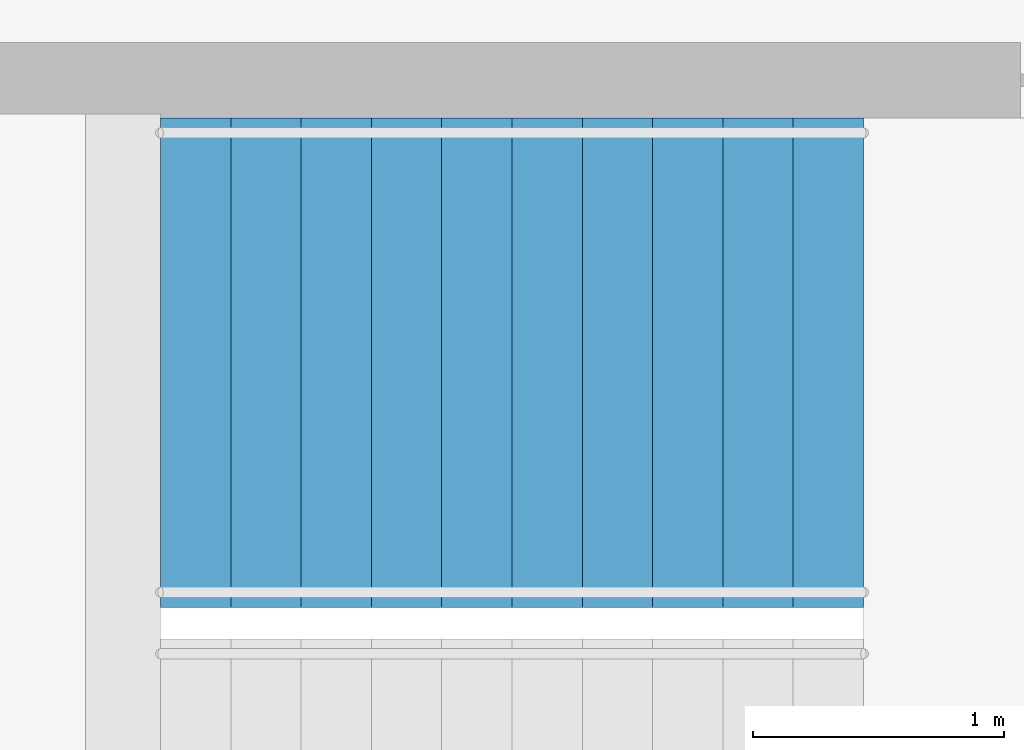
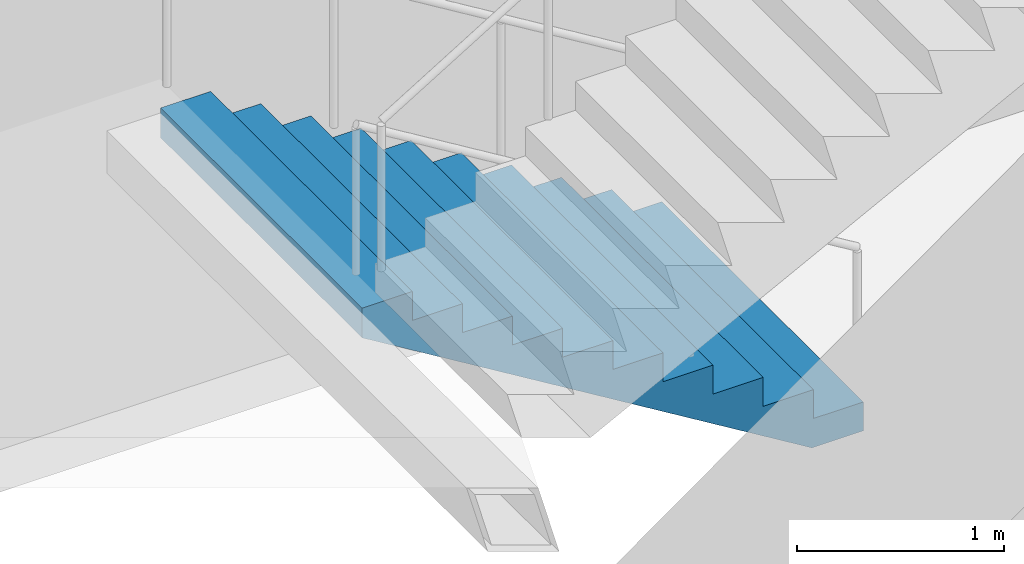
# One storey, part 21 of 22: 1 stair flight, 1 element without a shape of its own.
"""IFC4 building model written with IfcOpenShell, lengths in metres."""

import ifcopenshell
import ifcopenshell.guid

model = None  # the IFC model being written
_history = None  # IfcOwnerHistory: only IFC2X3 demands one
_inside = {}  # id of a spatial element -> (the spatial element, [elements in it])
_under = {}  # id of a project, library or spatial element -> (it, [spatial elements below it])
_declared = {}  # id of a project -> (the project, [libraries it declares])
_typed = {}  # id of a type object -> (the type object, [elements of that type])
_made_of = {}  # id of a material, layer set ... -> (it, [elements and type objects made of it])


def new_model(schema):
    """Start an empty IFC model of exactly this schema.

    Asked for "IFC4X3", IfcOpenShell would pick the latest addendum, in which some entities
    have other attributes; the version numbers below select the first issue.
    IFC2X3 requires an IfcOwnerHistory on every rooted entity: one is made here for all.
    """
    global model, _history
    if schema == "IFC4X3":
        model = ifcopenshell.file(schema_version=(4, 3, 0, 0))
    else:
        model = ifcopenshell.file(schema=schema)
    _inside.clear()
    _under.clear()
    _declared.clear()
    _typed.clear()
    _made_of.clear()
    _history = None
    if model.schema == "IFC2X3":
        org = make("IfcOrganization", Name="unknown")
        user = make(
            "IfcPersonAndOrganization",
            ThePerson=make("IfcPerson", FamilyName="unknown"),
            TheOrganization=org,
        )
        app = make(
            "IfcApplication",
            ApplicationDeveloper=org,
            Version="unknown",
            ApplicationFullName="unknown",
            ApplicationIdentifier="unknown",
        )
        _history = make(
            "IfcOwnerHistory",
            OwningUser=user,
            OwningApplication=app,
            ChangeAction="ADDED",
            CreationDate=0,
        )
    return model


def make(cls, **values):
    """One entity of the class cls with the attributes given. An attribute that is None is left unset."""
    return model.create_entity(
        cls, **{name: value for name, value in values.items() if value is not None}
    )


def rooted(cls, **values):
    """An entity with a GlobalId (a new one), such as an element, a storey or a relation."""
    return make(cls, GlobalId=ifcopenshell.guid.new(), OwnerHistory=_history, **values)


def si_unit(unit_type, name, prefix=None):
    """IfcSIUnit, for example si_unit("LENGTHUNIT", "METRE", prefix="MILLI")."""
    return make("IfcSIUnit", UnitType=unit_type, Prefix=prefix, Name=name)


def assignment(units):
    """IfcUnitAssignment: the units of a project."""
    return None if units is None else make("IfcUnitAssignment", Units=units)


def point(xyz):
    """IfcCartesianPoint."""
    return None if xyz is None else make("IfcCartesianPoint", Coordinates=xyz)


def direction(xyz):
    """IfcDirection."""
    return None if xyz is None else make("IfcDirection", DirectionRatios=xyz)


def frame(location, z_axis=None, x_axis=None):
    """IfcAxis2Placement3D, a coordinate frame: its origin and axes. An axis left out is left unset."""
    return make(
        "IfcAxis2Placement3D",
        Location=point(location),
        Axis=direction(z_axis),
        RefDirection=direction(x_axis),
    )


def origin():
    """The frame at (0, 0, 0) with its axes left unset."""
    return frame((0.0, 0.0, 0.0))


def place(relative_to, where):
    """IfcLocalPlacement: puts the frame where relative to a parent placement (None: the world)."""
    return make(
        "IfcLocalPlacement", PlacementRelTo=relative_to, RelativePlacement=where
    )


def context(
    kind, dimensions, precision=None, world=None, true_north=None, identifier=None
):
    """IfcGeometricRepresentationContext, for example the 3D "Model" context."""
    return make(
        "IfcGeometricRepresentationContext",
        ContextIdentifier=identifier,
        ContextType=kind,
        CoordinateSpaceDimension=dimensions,
        Precision=precision,
        WorldCoordinateSystem=world,
        TrueNorth=true_north,
    )


def subcontext(parent, identifier, kind, view, scale=None):
    """IfcGeometricRepresentationSubContext, for example "Body" below "Model"."""
    return make(
        "IfcGeometricRepresentationSubContext",
        ContextIdentifier=identifier,
        ContextType=kind,
        ParentContext=parent,
        TargetScale=scale,
        TargetView=view,
    )


def project(units=None, contexts=None):
    """IfcProject with its units and contexts."""
    return rooted(
        "IfcProject",
        Name="project",
        RepresentationContexts=contexts,
        UnitsInContext=assignment(units),
    )


def spatial(cls, under=None, at=None, **own):
    """A site, building, storey or space (cls), placed at a placement, below another one or the project."""
    s = rooted(cls, ObjectPlacement=at, **own)
    if under is not None:
        _under.setdefault(under.id(), (under, []))[1].append(s)
    return s


def point_list(points):
    """IfcCartesianPointList2D or 3D."""
    cls = (
        "IfcCartesianPointList2D" if len(points[0]) == 2 else "IfcCartesianPointList3D"
    )
    return make(cls, CoordList=points)


def triangles(points, corners, closed=None, point_numbers=None):
    """IfcTriangulatedFaceSet: each triangle names its three corners, points numbered from 1."""
    return make(
        "IfcTriangulatedFaceSet",
        Coordinates=point_list(points),
        Closed=closed,
        CoordIndex=corners,
        PnIndex=point_numbers,
    )


def shape(context_of_items, identifier, shape_type, items):
    """IfcShapeRepresentation: the items that make up one representation, for example the "Body"."""
    return make(
        "IfcShapeRepresentation",
        ContextOfItems=context_of_items,
        RepresentationIdentifier=identifier,
        RepresentationType=shape_type,
        Items=items,
    )


def material(Name=None, Category=None):
    """IfcMaterial."""
    return make("IfcMaterial", Name=Name, Category=Category)


def made_of(thing, what):
    """Note that an element or type object is made of a material, layer set ...; save() writes the relation."""
    if what is not None:
        _made_of.setdefault(what.id(), (what, []))[1].append(thing)
    return thing


def type_object(cls, material=None, **own):
    """A type object (cls), such as IfcWallType, which elements share."""
    return made_of(rooted(cls, **own), material)


def element(
    cls,
    number,
    at=None,
    inside=None,
    cuts=None,
    type_object=None,
    material=None,
    context=None,
    identifier="Body",
    shape_type=None,
    held_by="IfcProductDefinitionShape",
    body=None,
    shapes=None,
    **own,
):
    """One element of the class cls, such as IfcWall. Its Tag is "e" and its number.

    at: its placement. inside: the storey or other place that contains it. cuts: it is an
    opening in that element (IfcRelVoidsElement). A single representation is given by context,
    identifier, shape_type and body (its items); several are given by shapes. held_by: the class
    of the entity that holds the representations. save() writes the other relations.
    """
    e = rooted(cls, Tag="e%d" % number, ObjectPlacement=at, **own)
    if body is not None:
        shapes = [shape(context, identifier, shape_type, body)]
    if shapes is not None:
        e.Representation = make(held_by, Representations=shapes)
    if inside is not None:
        _inside.setdefault(inside.id(), (inside, []))[1].append(e)
    if cuts is not None:
        rooted(
            "IfcRelVoidsElement", RelatingBuildingElement=cuts, RelatedOpeningElement=e
        )
    if type_object is not None:
        _typed.setdefault(type_object.id(), (type_object, []))[1].append(e)
    return made_of(e, material)


def aggregate(whole, parts):
    """IfcRelAggregates: a whole, such as a stair, and the parts it consists of."""
    return rooted("IfcRelAggregates", RelatingObject=whole, RelatedObjects=parts)


def save(model, path):
    """Write the relations noted so far, then the file.

    IfcRelAggregates (storeys below a building ...), IfcRelContainedInSpatialStructure (elements
    in a storey), IfcRelDefinesByType, IfcRelAssociatesMaterial and IfcRelDeclares: one each for
    every whole, place, type object, material and project.
    """
    for whole, parts in _under.values():
        aggregate(whole, parts)
    for where, things in _inside.values():
        rooted(
            "IfcRelContainedInSpatialStructure",
            RelatedElements=things,
            RelatingStructure=where,
        )
    for kind, things in _typed.values():
        rooted("IfcRelDefinesByType", RelatedObjects=things, RelatingType=kind)
    for what, things in _made_of.values():
        rooted("IfcRelAssociatesMaterial", RelatedObjects=things, RelatingMaterial=what)
    for by, libraries in _declared.values():
        rooted("IfcRelDeclares", RelatingContext=by, RelatedDefinitions=libraries)
    model.write(path)


model = new_model("IFC4")

# Units and contexts
model_context = context("Model", 3, precision=1e-05, world=origin(), true_north=direction((0.0, 1.0)))
body_context = subcontext(model_context, "Body", "Model", "MODEL_VIEW")
ifc_project = project(units=[si_unit("LENGTHUNIT", "METRE"), si_unit("AREAUNIT", "SQUARE_METRE"), si_unit("VOLUMEUNIT", "CUBIC_METRE"), si_unit("PLANEANGLEUNIT", "RADIAN"), si_unit("MASSUNIT", "GRAM", prefix="KILO")], contexts=[model_context])

# Site, building, storey
site_placement = place(None, origin())
site = spatial("IfcSite", under=ifc_project, at=site_placement, CompositionType="ELEMENT")
building_placement = place(site_placement, origin())
building = spatial("IfcBuilding", under=site, at=building_placement, Name="Orbita Commons", CompositionType="ELEMENT")
storey_placement = place(building_placement, frame((0.0, 0.0, 197.35009765625)))
storey = spatial("IfcBuildingStorey", under=building, at=storey_placement, Name="L49", CompositionType="ELEMENT", Elevation=197.35009765625)

# Stair, stair flight
ifc_material_1 = material(Name="Precast concrete C40/50", Category="concrete")
stair_type = type_object("IfcStairType", Name="Exit stair S2 2 flights 11 risers 170", PredefinedType="HALF_TURN_STAIR", material=ifc_material_1)
stair_placement = place(storey_placement, origin())
stair = element("IfcStair", 1, at=stair_placement, inside=storey, type_object=stair_type, Name="Exit stair S2 L49", PredefinedType="HALF_TURN_STAIR")
ifc_material_2 = material(Name="Precast concrete C40/50", Category="concrete")
stair_flight_type = type_object("IfcStairFlightType", Name="Stair flight 11 risers 170 x 280", PredefinedType="STRAIGHT", material=ifc_material_2)
stair_flight_placement = place(storey_placement, frame((63.550048828125, 29.27490234375, 0.0), z_axis=(0.0, 0.0, 1.0), x_axis=(-1.0, 0.0, 0.0)))
stair_flight = element("IfcStairFlight", 2, at=stair_flight_placement, type_object=stair_flight_type, Name="S2 flight 1", NumberOfRisers=11, NumberOfTreads=10, PredefinedType="STRAIGHT", RiserHeight=0.170454545, TreadLength=0.28, context=body_context, shape_type="Tessellation", body=[
    triangles([(0.0, 0.974976, 0.0), (0.0, 0.974976, 0.021307), (0.0, 0.81248, 0.021307), (0.0, 0.81248, 0.0), (0.0, 0.649984, 0.021307), (0.0, 0.649984, 0.0), (0.0, 0.487488, 0.021307), (0.0, 0.487488, 0.0), (0.0, 0.324992, 0.021307), (0.0, 0.324992, 0.0), (0.0, 0.162496, 0.021307), (0.0, 0.162496, 0.0), (0.0, 0.0, 0.021307), (0.0, 0.0, 0.0), (0.0, -0.162496, 0.021307), (0.0, -0.162496, 0.0), (0.0, -0.324992, 0.021307), (0.0, -0.324992, 0.0), (0.0, -0.487488, 0.021307), (0.0, -0.487488, 0.0), (0.0, -0.649984, 0.021307), (0.0, -0.649984, 0.0), (0.0, -0.81248, 0.021307), (0.0, -0.81248, 0.0), (0.0, -0.974976, 0.021307), (0.0, -0.974976, 0.0), (0.0, 0.974976, 0.042614), (0.0, 0.81248, 0.042614), (0.0, 0.649984, 0.042614), (0.0, 0.487488, 0.042614), (0.0, 0.324992, 0.042614), (0.0, 0.162496, 0.042614), (0.0, 0.0, 0.042614), (0.0, -0.162496, 0.042614), (0.0, -0.324992, 0.042614), (0.0, -0.487488, 0.042614), (0.0, -0.649984, 0.042614), (0.0, -0.81248, 0.042614), (0.0, -0.974976, 0.042614), (0.0, 0.974976, 0.06392), (0.0, 0.81248, 0.06392), (0.0, 0.649984, 0.06392), (0.0, 0.487488, 0.06392), (0.0, 0.324992, 0.06392), (0.0, 0.162496, 0.06392), (0.0, 0.0, 0.06392), (0.0, -0.162496, 0.06392), (0.0, -0.324992, 0.06392), (0.0, -0.487488, 0.06392), (0.0, -0.649984, 0.06392), (0.0, -0.81248, 0.06392), (0.0, -0.974976, 0.06392), (0.0, 0.974976, 0.085227), (0.0, 0.81248, 0.085227), (0.0, 0.649984, 0.085227), (0.0, 0.487488, 0.085227), (0.0, 0.324992, 0.085227), (0.0, 0.162496, 0.085227), (0.0, 0.0, 0.085227), (0.0, -0.162496, 0.085227), (0.0, -0.324992, 0.085227), (0.0, -0.487488, 0.085227), (0.0, -0.649984, 0.085227), (0.0, -0.81248, 0.085227), (0.0, -0.974976, 0.085227), (0.0, 0.974976, 0.106534), (0.0, 0.81248, 0.106534), (0.0, 0.649984, 0.106534), (0.0, 0.487488, 0.106534), (0.0, 0.324992, 0.106534), (0.0, 0.162496, 0.106534), (0.0, 0.0, 0.106534), (0.0, -0.162496, 0.106534), (0.0, -0.324992, 0.106534), (0.0, -0.487488, 0.106534), (0.0, -0.649984, 0.106534), (0.0, -0.81248, 0.106534), (0.0, -0.974976, 0.106534), (0.0, 0.974976, 0.127841), (0.0, 0.81248, 0.127841), (0.0, 0.649984, 0.127841), (0.0, 0.487488, 0.127841), (0.0, 0.324992, 0.127841), (0.0, 0.162496, 0.127841), (0.0, 0.0, 0.127841), (0.0, -0.162496, 0.127841), (0.0, -0.324992, 0.127841), (0.0, -0.487488, 0.127841), (0.0, -0.649984, 0.127841), (0.0, -0.81248, 0.127841), (0.0, -0.974976, 0.127841), (0.0, 0.974976, 0.149148), (0.0, 0.81248, 0.149148), (0.0, 0.649984, 0.149148), (0.0, 0.487488, 0.149148), (0.0, 0.324992, 0.149148), (0.0, 0.162496, 0.149148), (0.0, 0.0, 0.149148), (0.0, -0.162496, 0.149148), (0.0, -0.324992, 0.149148), (0.0, -0.487488, 0.149148), (0.0, -0.649984, 0.149148), (0.0, -0.81248, 0.149148), (0.0, -0.974976, 0.149148), (0.0, 0.974976, 0.170455), (0.0, 0.81248, 0.170455), (0.0, 0.649984, 0.170455), (0.0, 0.487488, 0.170455), (0.0, 0.324992, 0.170455), (0.0, 0.162496, 0.170455), (0.0, 0.0, 0.170455), (0.0, -0.162496, 0.170455), (0.0, -0.324992, 0.170455), (0.0, -0.487488, 0.170455), (0.0, -0.649984, 0.170455), (0.0, -0.81248, 0.170455), (0.0, -0.974976, 0.170455), (0.28, 0.974976, 0.170455), (0.28, 0.81248, 0.170455), (0.28, 0.649984, 0.170455), (0.28, 0.487488, 0.170455), (0.28, 0.324992, 0.170455), (0.28, 0.162496, 0.170455), (0.28, 0.0, 0.170455), (0.28, -0.162496, 0.170455), (0.28, -0.324992, 0.170455), (0.28, -0.487488, 0.170455), (0.28, -0.649984, 0.170455), (0.28, -0.81248, 0.170455), (0.28, -0.974976, 0.170455), (0.28, 0.974976, 0.340909), (0.28, 0.81248, 0.340909), (0.28, 0.649984, 0.340909), (0.28, 0.487488, 0.340909), (0.28, 0.324992, 0.340909), (0.28, 0.162496, 0.340909), (0.28, 0.0, 0.340909), (0.28, -0.162496, 0.340909), (0.28, -0.324992, 0.340909), (0.28, -0.487488, 0.340909), (0.28, -0.649984, 0.340909), (0.28, -0.81248, 0.340909), (0.28, -0.974976, 0.340909), (0.56, 0.974976, 0.340909), (0.56, 0.81248, 0.340909), (0.56, 0.649984, 0.340909), (0.56, 0.487488, 0.340909), (0.56, 0.324992, 0.340909), (0.56, 0.162496, 0.340909), (0.56, 0.0, 0.340909), (0.56, -0.162496, 0.340909), (0.56, -0.324992, 0.340909), (0.56, -0.487488, 0.340909), (0.56, -0.649984, 0.340909), (0.56, -0.81248, 0.340909), (0.56, -0.974976, 0.340909), (0.56, 0.974976, 0.511364), (0.56, 0.81248, 0.511364), (0.56, 0.649984, 0.511364), (0.56, 0.487488, 0.511364), (0.56, 0.324992, 0.511364), (0.56, 0.162496, 0.511364), (0.56, 0.0, 0.511364), (0.56, -0.162496, 0.511364), (0.56, -0.324992, 0.511364), (0.56, -0.487488, 0.511364), (0.56, -0.649984, 0.511364), (0.56, -0.81248, 0.511364), (0.56, -0.974976, 0.511364), (0.84, 0.974976, 0.511364), (0.84, 0.81248, 0.511364), (0.84, 0.649984, 0.511364), (0.84, 0.487488, 0.511364), (0.84, 0.324992, 0.511364), (0.84, 0.162496, 0.511364), (0.84, 0.0, 0.511364), (0.84, -0.162496, 0.511364), (0.84, -0.324992, 0.511364), (0.84, -0.487488, 0.511364), (0.84, -0.649984, 0.511364), (0.84, -0.81248, 0.511364), (0.84, -0.974976, 0.511364), (0.84, 0.974976, 0.681818), (0.84, 0.81248, 0.681818), (0.84, 0.649984, 0.681818), (0.84, 0.487488, 0.681818), (0.84, 0.324992, 0.681818), (0.84, 0.162496, 0.681818), (0.84, 0.0, 0.681818), (0.84, -0.162496, 0.681818), (0.84, -0.324992, 0.681818), (0.84, -0.487488, 0.681818), (0.84, -0.649984, 0.681818), (0.84, -0.81248, 0.681818), (0.84, -0.974976, 0.681818), (1.12, 0.974976, 0.681818), (1.12, 0.81248, 0.681818), (1.12, 0.649984, 0.681818), (1.12, 0.487488, 0.681818), (1.12, 0.324992, 0.681818), (1.12, 0.162496, 0.681818), (1.12, 0.0, 0.681818), (1.12, -0.162496, 0.681818), (1.12, -0.324992, 0.681818), (1.12, -0.487488, 0.681818), (1.12, -0.649984, 0.681818), (1.12, -0.81248, 0.681818), (1.12, -0.974976, 0.681818), (1.12, 0.974976, 0.852273), (1.12, 0.81248, 0.852273), (1.12, 0.649984, 0.852273), (1.12, 0.487488, 0.852273), (1.12, 0.324992, 0.852273), (1.12, 0.162496, 0.852273), (1.12, 0.0, 0.852273), (1.12, -0.162496, 0.852273), (1.12, -0.324992, 0.852273), (1.12, -0.487488, 0.852273), (1.12, -0.649984, 0.852273), (1.12, -0.81248, 0.852273), (1.12, -0.974976, 0.852273), (1.4, 0.974976, 0.852273), (1.4, 0.81248, 0.852273), (1.4, 0.649984, 0.852273), (1.4, 0.487488, 0.852273), (1.4, 0.324992, 0.852273), (1.4, 0.162496, 0.852273), (1.4, 0.0, 0.852273), (1.4, -0.162496, 0.852273), (1.4, -0.324992, 0.852273), (1.4, -0.487488, 0.852273), (1.4, -0.649984, 0.852273), (1.4, -0.81248, 0.852273), (1.4, -0.974976, 0.852273), (1.4, 0.974976, 1.022727), (1.4, 0.81248, 1.022727), (1.4, 0.649984, 1.022727), (1.4, 0.487488, 1.022727), (1.4, 0.324992, 1.022727), (1.4, 0.162496, 1.022727), (1.4, 0.0, 1.022727), (1.4, -0.162496, 1.022727), (1.4, -0.324992, 1.022727), (1.4, -0.487488, 1.022727), (1.4, -0.649984, 1.022727), (1.4, -0.81248, 1.022727), (1.4, -0.974976, 1.022727), (1.68, 0.974976, 1.022727), (1.68, 0.81248, 1.022727), (1.68, 0.649984, 1.022727), (1.68, 0.487488, 1.022727), (1.68, 0.324992, 1.022727), (1.68, 0.162496, 1.022727), (1.68, 0.0, 1.022727), (1.68, -0.162496, 1.022727), (1.68, -0.324992, 1.022727), (1.68, -0.487488, 1.022727), (1.68, -0.649984, 1.022727), (1.68, -0.81248, 1.022727), (1.68, -0.974976, 1.022727), (1.68, 0.974976, 1.193182), (1.68, 0.81248, 1.193182), (1.68, 0.649984, 1.193182), (1.68, 0.487488, 1.193182), (1.68, 0.324992, 1.193182), (1.68, 0.162496, 1.193182), (1.68, 0.0, 1.193182), (1.68, -0.162496, 1.193182), (1.68, -0.324992, 1.193182), (1.68, -0.487488, 1.193182), (1.68, -0.649984, 1.193182), (1.68, -0.81248, 1.193182), (1.68, -0.974976, 1.193182), (1.96, 0.974976, 1.193182), (1.96, 0.81248, 1.193182), (1.96, 0.649984, 1.193182), (1.96, 0.487488, 1.193182), (1.96, 0.324992, 1.193182), (1.96, 0.162496, 1.193182), (1.96, 0.0, 1.193182), (1.96, -0.162496, 1.193182), (1.96, -0.324992, 1.193182), (1.96, -0.487488, 1.193182), (1.96, -0.649984, 1.193182), (1.96, -0.81248, 1.193182), (1.96, -0.974976, 1.193182), (1.96, 0.974976, 1.363636), (1.96, 0.81248, 1.363636), (1.96, 0.649984, 1.363636), (1.96, 0.487488, 1.363636), (1.96, 0.324992, 1.363636), (1.96, 0.162496, 1.363636), (1.96, 0.0, 1.363636), (1.96, -0.162496, 1.363636), (1.96, -0.324992, 1.363636), (1.96, -0.487488, 1.363636), (1.96, -0.649984, 1.363636), (1.96, -0.81248, 1.363636), (1.96, -0.974976, 1.363636), (2.24, 0.974976, 1.363636), (2.24, 0.81248, 1.363636), (2.24, 0.649984, 1.363636), (2.24, 0.487488, 1.363636), (2.24, 0.324992, 1.363636), (2.24, 0.162496, 1.363636), (2.24, 0.0, 1.363636), (2.24, -0.162496, 1.363636), (2.24, -0.324992, 1.363636), (2.24, -0.487488, 1.363636), (2.24, -0.649984, 1.363636), (2.24, -0.81248, 1.363636), (2.24, -0.974976, 1.363636), (2.24, 0.974976, 1.534091), (2.24, 0.81248, 1.534091), (2.24, 0.649984, 1.534091), (2.24, 0.487488, 1.534091), (2.24, 0.324992, 1.534091), (2.24, 0.162496, 1.534091), (2.24, 0.0, 1.534091), (2.24, -0.162496, 1.534091), (2.24, -0.324992, 1.534091), (2.24, -0.487488, 1.534091), (2.24, -0.649984, 1.534091), (2.24, -0.81248, 1.534091), (2.24, -0.974976, 1.534091), (2.52, 0.974976, 1.534091), (2.52, 0.81248, 1.534091), (2.52, 0.649984, 1.534091), (2.52, 0.487488, 1.534091), (2.52, 0.324992, 1.534091), (2.52, 0.162496, 1.534091), (2.52, 0.0, 1.534091), (2.52, -0.162496, 1.534091), (2.52, -0.324992, 1.534091), (2.52, -0.487488, 1.534091), (2.52, -0.649984, 1.534091), (2.52, -0.81248, 1.534091), (2.52, -0.974976, 1.534091), (2.52, 0.974976, 1.704545), (2.52, 0.81248, 1.704545), (2.52, 0.649984, 1.704545), (2.52, 0.487488, 1.704545), (2.52, 0.324992, 1.704545), (2.52, 0.162496, 1.704545), (2.52, 0.0, 1.704545), (2.52, -0.162496, 1.704545), (2.52, -0.324992, 1.704545), (2.52, -0.487488, 1.704545), (2.52, -0.649984, 1.704545), (2.52, -0.81248, 1.704545), (2.52, -0.974976, 1.704545), (2.8, 0.974976, 1.704545), (2.8, 0.81248, 1.704545), (2.8, 0.649984, 1.704545), (2.8, 0.487488, 1.704545), (2.8, 0.324992, 1.704545), (2.8, 0.162496, 1.704545), (2.8, 0.0, 1.704545), (2.8, -0.162496, 1.704545), (2.8, -0.324992, 1.704545), (2.8, -0.487488, 1.704545), (2.8, -0.649984, 1.704545), (2.8, -0.81248, 1.704545), (2.8, -0.974976, 1.704545), (2.8, 0.974976, 1.682609), (2.8, 0.81248, 1.682609), (2.8, 0.649984, 1.682609), (2.8, 0.487488, 1.682609), (2.8, 0.324992, 1.682609), (2.8, 0.162496, 1.682609), (2.8, 0.0, 1.682609), (2.8, -0.162496, 1.682609), (2.8, -0.324992, 1.682609), (2.8, -0.487488, 1.682609), (2.8, -0.649984, 1.682609), (2.8, -0.81248, 1.682609), (2.8, -0.974976, 1.682609), (2.8, 0.974976, 1.660672), (2.8, 0.81248, 1.660672), (2.8, 0.649984, 1.660672), (2.8, 0.487488, 1.660672), (2.8, 0.324992, 1.660672), (2.8, 0.162496, 1.660672), (2.8, 0.0, 1.660672), (2.8, -0.162496, 1.660672), (2.8, -0.324992, 1.660672), (2.8, -0.487488, 1.660672), (2.8, -0.649984, 1.660672), (2.8, -0.81248, 1.660672), (2.8, -0.974976, 1.660672), (2.8, 0.974976, 1.638735), (2.8, 0.81248, 1.638735), (2.8, 0.649984, 1.638735), (2.8, 0.487488, 1.638735), (2.8, 0.324992, 1.638735), (2.8, 0.162496, 1.638735), (2.8, 0.0, 1.638735), (2.8, -0.162496, 1.638735), (2.8, -0.324992, 1.638735), (2.8, -0.487488, 1.638735), (2.8, -0.649984, 1.638735), (2.8, -0.81248, 1.638735), (2.8, -0.974976, 1.638735), (2.8, 0.974976, 1.616798), (2.8, 0.81248, 1.616798), (2.8, 0.649984, 1.616798), (2.8, 0.487488, 1.616798), (2.8, 0.324992, 1.616798), (2.8, 0.162496, 1.616798), (2.8, 0.0, 1.616798), (2.8, -0.162496, 1.616798), (2.8, -0.324992, 1.616798), (2.8, -0.487488, 1.616798), (2.8, -0.649984, 1.616798), (2.8, -0.81248, 1.616798), (2.8, -0.974976, 1.616798), (2.8, 0.974976, 1.594861), (2.8, 0.81248, 1.594861), (2.8, 0.649984, 1.594861), (2.8, 0.487488, 1.594861), (2.8, 0.324992, 1.594861), (2.8, 0.162496, 1.594861), (2.8, 0.0, 1.594861), (2.8, -0.162496, 1.594861), (2.8, -0.324992, 1.594861), (2.8, -0.487488, 1.594861), (2.8, -0.649984, 1.594861), (2.8, -0.81248, 1.594861), (2.8, -0.974976, 1.594861), (2.8, 0.974976, 1.572925), (2.8, 0.81248, 1.572925), (2.8, 0.649984, 1.572925), (2.8, 0.487488, 1.572925), (2.8, 0.324992, 1.572925), (2.8, 0.162496, 1.572925), (2.8, 0.0, 1.572925), (2.8, -0.162496, 1.572925), (2.8, -0.324992, 1.572925), (2.8, -0.487488, 1.572925), (2.8, -0.649984, 1.572925), (2.8, -0.81248, 1.572925), (2.8, -0.974976, 1.572925), (2.8, 0.974976, 1.550988), (2.8, 0.81248, 1.550988), (2.8, 0.649984, 1.550988), (2.8, 0.487488, 1.550988), (2.8, 0.324992, 1.550988), (2.8, 0.162496, 1.550988), (2.8, 0.0, 1.550988), (2.8, -0.162496, 1.550988), (2.8, -0.324992, 1.550988), (2.8, -0.487488, 1.550988), (2.8, -0.649984, 1.550988), (2.8, -0.81248, 1.550988), (2.8, -0.974976, 1.550988), (2.8, 0.974976, 1.529051), (2.8, 0.81248, 1.529051), (2.8, 0.649984, 1.529051), (2.8, 0.487488, 1.529051), (2.8, 0.324992, 1.529051), (2.8, 0.162496, 1.529051), (2.8, 0.0, 1.529051), (2.8, -0.162496, 1.529051), (2.8, -0.324992, 1.529051), (2.8, -0.487488, 1.529051), (2.8, -0.649984, 1.529051), (2.8, -0.81248, 1.529051), (2.8, -0.974976, 1.529051), (0.288279, 0.974976, 0.0), (0.288279, 0.81248, 0.0), (0.288279, 0.649984, 0.0), (0.288279, 0.487488, 0.0), (0.288279, 0.324992, 0.0), (0.288279, 0.162496, 0.0), (0.288279, 0.0, 0.0), (0.288279, -0.162496, 0.0), (0.288279, -0.324992, 0.0), (0.288279, -0.487488, 0.0), (0.288279, -0.649984, 0.0), (0.288279, -0.81248, 0.0), (0.288279, -0.974976, 0.0)], [[3, 2, 1], [4, 3, 1], [5, 3, 4], [6, 5, 4], [7, 5, 6], [8, 7, 6], [9, 7, 8], [10, 9, 8], [11, 9, 10], [12, 11, 10], [13, 11, 12], [14, 13, 12], [15, 13, 14], [16, 15, 14], [17, 15, 16], [18, 17, 16], [19, 17, 18], [20, 19, 18], [21, 19, 20], [22, 21, 20], [23, 21, 22], [24, 23, 22], [25, 23, 24], [26, 25, 24], [28, 27, 2], [3, 28, 2], [29, 28, 3], [5, 29, 3], [30, 29, 5], [7, 30, 5], [31, 30, 7], [9, 31, 7], [32, 31, 9], [11, 32, 9], [33, 32, 11], [13, 33, 11], [34, 33, 13], [15, 34, 13], [35, 34, 15], [17, 35, 15], [36, 35, 17], [19, 36, 17], [37, 36, 19], [21, 37, 19], [38, 37, 21], [23, 38, 21], [39, 38, 23], [25, 39, 23], [41, 40, 27], [28, 41, 27], [42, 41, 28], [29, 42, 28], [43, 42, 29], [30, 43, 29], [44, 43, 30], [31, 44, 30], [45, 44, 31], [32, 45, 31], [46, 45, 32], [33, 46, 32], [47, 46, 33], [34, 47, 33], [48, 47, 34], [35, 48, 34], [49, 48, 35], [36, 49, 35], [50, 49, 36], [37, 50, 36], [51, 50, 37], [38, 51, 37], [52, 51, 38], [39, 52, 38], [54, 53, 40], [41, 54, 40], [55, 54, 41], [42, 55, 41], [56, 55, 42], [43, 56, 42], [57, 56, 43], [44, 57, 43], [58, 57, 44], [45, 58, 44], [59, 58, 45], [46, 59, 45], [60, 59, 46], [47, 60, 46], [61, 60, 47], [48, 61, 47], [62, 61, 48], [49, 62, 48], [63, 62, 49], [50, 63, 49], [64, 63, 50], [51, 64, 50], [65, 64, 51], [52, 65, 51], [67, 66, 53], [54, 67, 53], [68, 67, 54], [55, 68, 54], [69, 68, 55], [56, 69, 55], [70, 69, 56], [57, 70, 56], [71, 70, 57], [58, 71, 57], [72, 71, 58], [59, 72, 58], [73, 72, 59], [60, 73, 59], [74, 73, 60], [61, 74, 60], [75, 74, 61], [62, 75, 61], [76, 75, 62], [63, 76, 62], [77, 76, 63], [64, 77, 63], [78, 77, 64], [65, 78, 64], [80, 79, 66], [67, 80, 66], [81, 80, 67], [68, 81, 67], [82, 81, 68], [69, 82, 68], [83, 82, 69], [70, 83, 69], [84, 83, 70], [71, 84, 70], [85, 84, 71], [72, 85, 71], [86, 85, 72], [73, 86, 72], [87, 86, 73], [74, 87, 73], [88, 87, 74], [75, 88, 74], [89, 88, 75], [76, 89, 75], [90, 89, 76], [77, 90, 76], [91, 90, 77], [78, 91, 77], [93, 92, 79], [80, 93, 79], [94, 93, 80], [81, 94, 80], [95, 94, 81], [82, 95, 81], [96, 95, 82], [83, 96, 82], [97, 96, 83], [84, 97, 83], [98, 97, 84], [85, 98, 84], [99, 98, 85], [86, 99, 85], [100, 99, 86], [87, 100, 86], [101, 100, 87], [88, 101, 87], [102, 101, 88], [89, 102, 88], [103, 102, 89], [90, 103, 89], [104, 103, 90], [91, 104, 90], [106, 105, 92], [93, 106, 92], [107, 106, 93], [94, 107, 93], [108, 107, 94], [95, 108, 94], [109, 108, 95], [96, 109, 95], [110, 109, 96], [97, 110, 96], [111, 110, 97], [98, 111, 97], [112, 111, 98], [99, 112, 98], [113, 112, 99], [100, 113, 99], [114, 113, 100], [101, 114, 100], [115, 114, 101], [102, 115, 101], [116, 115, 102], [103, 116, 102], [117, 116, 103], [104, 117, 103], [119, 118, 105], [106, 119, 105], [120, 119, 106], [107, 120, 106], [121, 120, 107], [108, 121, 107], [122, 121, 108], [109, 122, 108], [123, 122, 109], [110, 123, 109], [124, 123, 110], [111, 124, 110], [125, 124, 111], [112, 125, 111], [126, 125, 112], [113, 126, 112], [127, 126, 113], [114, 127, 113], [128, 127, 114], [115, 128, 114], [129, 128, 115], [116, 129, 115], [130, 129, 116], [117, 130, 116], [132, 131, 118], [119, 132, 118], [133, 132, 119], [120, 133, 119], [134, 133, 120], [121, 134, 120], [135, 134, 121], [122, 135, 121], [136, 135, 122], [123, 136, 122], [137, 136, 123], [124, 137, 123], [138, 137, 124], [125, 138, 124], [139, 138, 125], [126, 139, 125], [140, 139, 126], [127, 140, 126], [141, 140, 127], [128, 141, 127], [142, 141, 128], [129, 142, 128], [143, 142, 129], [130, 143, 129], [145, 144, 131], [132, 145, 131], [146, 145, 132], [133, 146, 132], [147, 146, 133], [134, 147, 133], [148, 147, 134], [135, 148, 134], [149, 148, 135], [136, 149, 135], [150, 149, 136], [137, 150, 136], [151, 150, 137], [138, 151, 137], [152, 151, 138], [139, 152, 138], [153, 152, 139], [140, 153, 139], [154, 153, 140], [141, 154, 140], [155, 154, 141], [142, 155, 141], [156, 155, 142], [143, 156, 142], [158, 157, 144], [145, 158, 144], [159, 158, 145], [146, 159, 145], [160, 159, 146], [147, 160, 146], [161, 160, 147], [148, 161, 147], [162, 161, 148], [149, 162, 148], [163, 162, 149], [150, 163, 149], [164, 163, 150], [151, 164, 150], [165, 164, 151], [152, 165, 151], [166, 165, 152], [153, 166, 152], [167, 166, 153], [154, 167, 153], [168, 167, 154], [155, 168, 154], [169, 168, 155], [156, 169, 155], [171, 170, 157], [158, 171, 157], [172, 171, 158], [159, 172, 158], [173, 172, 159], [160, 173, 159], [174, 173, 160], [161, 174, 160], [175, 174, 161], [162, 175, 161], [176, 175, 162], [163, 176, 162], [177, 176, 163], [164, 177, 163], [178, 177, 164], [165, 178, 164], [179, 178, 165], [166, 179, 165], [180, 179, 166], [167, 180, 166], [181, 180, 167], [168, 181, 167], [182, 181, 168], [169, 182, 168], [184, 183, 170], [171, 184, 170], [185, 184, 171], [172, 185, 171], [186, 185, 172], [173, 186, 172], [187, 186, 173], [174, 187, 173], [188, 187, 174], [175, 188, 174], [189, 188, 175], [176, 189, 175], [190, 189, 176], [177, 190, 176], [191, 190, 177], [178, 191, 177], [192, 191, 178], [179, 192, 178], [193, 192, 179], [180, 193, 179], [194, 193, 180], [181, 194, 180], [195, 194, 181], [182, 195, 181], [197, 196, 183], [184, 197, 183], [198, 197, 184], [185, 198, 184], [199, 198, 185], [186, 199, 185], [200, 199, 186], [187, 200, 186], [201, 200, 187], [188, 201, 187], [202, 201, 188], [189, 202, 188], [203, 202, 189], [190, 203, 189], [204, 203, 190], [191, 204, 190], [205, 204, 191], [192, 205, 191], [206, 205, 192], [193, 206, 192], [207, 206, 193], [194, 207, 193], [208, 207, 194], [195, 208, 194], [210, 209, 196], [197, 210, 196], [211, 210, 197], [198, 211, 197], [212, 211, 198], [199, 212, 198], [213, 212, 199], [200, 213, 199], [214, 213, 200], [201, 214, 200], [215, 214, 201], [202, 215, 201], [216, 215, 202], [203, 216, 202], [217, 216, 203], [204, 217, 203], [218, 217, 204], [205, 218, 204], [219, 218, 205], [206, 219, 205], [220, 219, 206], [207, 220, 206], [221, 220, 207], [208, 221, 207], [223, 222, 209], [210, 223, 209], [224, 223, 210], [211, 224, 210], [225, 224, 211], [212, 225, 211], [226, 225, 212], [213, 226, 212], [227, 226, 213], [214, 227, 213], [228, 227, 214], [215, 228, 214], [229, 228, 215], [216, 229, 215], [230, 229, 216], [217, 230, 216], [231, 230, 217], [218, 231, 217], [232, 231, 218], [219, 232, 218], [233, 232, 219], [220, 233, 219], [234, 233, 220], [221, 234, 220], [236, 235, 222], [223, 236, 222], [237, 236, 223], [224, 237, 223], [238, 237, 224], [225, 238, 224], [239, 238, 225], [226, 239, 225], [240, 239, 226], [227, 240, 226], [241, 240, 227], [228, 241, 227], [242, 241, 228], [229, 242, 228], [243, 242, 229], [230, 243, 229], [244, 243, 230], [231, 244, 230], [245, 244, 231], [232, 245, 231], [246, 245, 232], [233, 246, 232], [247, 246, 233], [234, 247, 233], [249, 248, 235], [236, 249, 235], [250, 249, 236], [237, 250, 236], [251, 250, 237], [238, 251, 237], [252, 251, 238], [239, 252, 238], [253, 252, 239], [240, 253, 239], [254, 253, 240], [241, 254, 240], [255, 254, 241], [242, 255, 241], [256, 255, 242], [243, 256, 242], [257, 256, 243], [244, 257, 243], [258, 257, 244], [245, 258, 244], [259, 258, 245], [246, 259, 245], [260, 259, 246], [247, 260, 246], [262, 261, 248], [249, 262, 248], [263, 262, 249], [250, 263, 249], [264, 263, 250], [251, 264, 250], [265, 264, 251], [252, 265, 251], [266, 265, 252], [253, 266, 252], [267, 266, 253], [254, 267, 253], [268, 267, 254], [255, 268, 254], [269, 268, 255], [256, 269, 255], [270, 269, 256], [257, 270, 256], [271, 270, 257], [258, 271, 257], [272, 271, 258], [259, 272, 258], [273, 272, 259], [260, 273, 259], [275, 274, 261], [262, 275, 261], [276, 275, 262], [263, 276, 262], [277, 276, 263], [264, 277, 263], [278, 277, 264], [265, 278, 264], [279, 278, 265], [266, 279, 265], [280, 279, 266], [267, 280, 266], [281, 280, 267], [268, 281, 267], [282, 281, 268], [269, 282, 268], [283, 282, 269], [270, 283, 269], [284, 283, 270], [271, 284, 270], [285, 284, 271], [272, 285, 271], [286, 285, 272], [273, 286, 272], [288, 287, 274], [275, 288, 274], [289, 288, 275], [276, 289, 275], [290, 289, 276], [277, 290, 276], [291, 290, 277], [278, 291, 277], [292, 291, 278], [279, 292, 278], [293, 292, 279], [280, 293, 279], [294, 293, 280], [281, 294, 280], [295, 294, 281], [282, 295, 281], [296, 295, 282], [283, 296, 282], [297, 296, 283], [284, 297, 283], [298, 297, 284], [285, 298, 284], [299, 298, 285], [286, 299, 285], [301, 300, 287], [288, 301, 287], [302, 301, 288], [289, 302, 288], [303, 302, 289], [290, 303, 289], [304, 303, 290], [291, 304, 290], [305, 304, 291], [292, 305, 291], [306, 305, 292], [293, 306, 292], [307, 306, 293], [294, 307, 293], [308, 307, 294], [295, 308, 294], [309, 308, 295], [296, 309, 295], [310, 309, 296], [297, 310, 296], [311, 310, 297], [298, 311, 297], [312, 311, 298], [299, 312, 298], [314, 313, 300], [301, 314, 300], [315, 314, 301], [302, 315, 301], [316, 315, 302], [303, 316, 302], [317, 316, 303], [304, 317, 303], [318, 317, 304], [305, 318, 304], [319, 318, 305], [306, 319, 305], [320, 319, 306], [307, 320, 306], [321, 320, 307], [308, 321, 307], [322, 321, 308], [309, 322, 308], [323, 322, 309], [310, 323, 309], [324, 323, 310], [311, 324, 310], [325, 324, 311], [312, 325, 311], [327, 326, 313], [314, 327, 313], [328, 327, 314], [315, 328, 314], [329, 328, 315], [316, 329, 315], [330, 329, 316], [317, 330, 316], [331, 330, 317], [318, 331, 317], [332, 331, 318], [319, 332, 318], [333, 332, 319], [320, 333, 319], [334, 333, 320], [321, 334, 320], [335, 334, 321], [322, 335, 321], [336, 335, 322], [323, 336, 322], [337, 336, 323], [324, 337, 323], [338, 337, 324], [325, 338, 324], [340, 339, 326], [327, 340, 326], [341, 340, 327], [328, 341, 327], [342, 341, 328], [329, 342, 328], [343, 342, 329], [330, 343, 329], [344, 343, 330], [331, 344, 330], [345, 344, 331], [332, 345, 331], [346, 345, 332], [333, 346, 332], [347, 346, 333], [334, 347, 333], [348, 347, 334], [335, 348, 334], [349, 348, 335], [336, 349, 335], [350, 349, 336], [337, 350, 336], [351, 350, 337], [338, 351, 337], [353, 352, 339], [340, 353, 339], [354, 353, 340], [341, 354, 340], [355, 354, 341], [342, 355, 341], [356, 355, 342], [343, 356, 342], [357, 356, 343], [344, 357, 343], [358, 357, 344], [345, 358, 344], [359, 358, 345], [346, 359, 345], [360, 359, 346], [347, 360, 346], [361, 360, 347], [348, 361, 347], [362, 361, 348], [349, 362, 348], [363, 362, 349], [350, 363, 349], [364, 363, 350], [351, 364, 350], [366, 365, 352], [353, 366, 352], [367, 366, 353], [354, 367, 353], [368, 367, 354], [355, 368, 354], [369, 368, 355], [356, 369, 355], [370, 369, 356], [357, 370, 356], [371, 370, 357], [358, 371, 357], [372, 371, 358], [359, 372, 358], [373, 372, 359], [360, 373, 359], [374, 373, 360], [361, 374, 360], [375, 374, 361], [362, 375, 361], [376, 375, 362], [363, 376, 362], [377, 376, 363], [364, 377, 363], [379, 378, 365], [366, 379, 365], [380, 379, 366], [367, 380, 366], [381, 380, 367], [368, 381, 367], [382, 381, 368], [369, 382, 368], [383, 382, 369], [370, 383, 369], [384, 383, 370], [371, 384, 370], [385, 384, 371], [372, 385, 371], [386, 385, 372], [373, 386, 372], [387, 386, 373], [374, 387, 373], [388, 387, 374], [375, 388, 374], [389, 388, 375], [376, 389, 375], [390, 389, 376], [377, 390, 376], [392, 391, 378], [379, 392, 378], [393, 392, 379], [380, 393, 379], [394, 393, 380], [381, 394, 380], [395, 394, 381], [382, 395, 381], [396, 395, 382], [383, 396, 382], [397, 396, 383], [384, 397, 383], [398, 397, 384], [385, 398, 384], [399, 398, 385], [386, 399, 385], [400, 399, 386], [387, 400, 386], [401, 400, 387], [388, 401, 387], [402, 401, 388], [389, 402, 388], [403, 402, 389], [390, 403, 389], [405, 404, 391], [392, 405, 391], [406, 405, 392], [393, 406, 392], [407, 406, 393], [394, 407, 393], [408, 407, 394], [395, 408, 394], [409, 408, 395], [396, 409, 395], [410, 409, 396], [397, 410, 396], [411, 410, 397], [398, 411, 397], [412, 411, 398], [399, 412, 398], [413, 412, 399], [400, 413, 399], [414, 413, 400], [401, 414, 400], [415, 414, 401], [402, 415, 401], [416, 415, 402], [403, 416, 402], [418, 417, 404], [405, 418, 404], [419, 418, 405], [406, 419, 405], [420, 419, 406], [407, 420, 406], [421, 420, 407], [408, 421, 407], [422, 421, 408], [409, 422, 408], [423, 422, 409], [410, 423, 409], [424, 423, 410], [411, 424, 410], [425, 424, 411], [412, 425, 411], [426, 425, 412], [413, 426, 412], [427, 426, 413], [414, 427, 413], [428, 427, 414], [415, 428, 414], [429, 428, 415], [416, 429, 415], [431, 430, 417], [418, 431, 417], [432, 431, 418], [419, 432, 418], [433, 432, 419], [420, 433, 419], [434, 433, 420], [421, 434, 420], [435, 434, 421], [422, 435, 421], [436, 435, 422], [423, 436, 422], [437, 436, 423], [424, 437, 423], [438, 437, 424], [425, 438, 424], [439, 438, 425], [426, 439, 425], [440, 439, 426], [427, 440, 426], [441, 440, 427], [428, 441, 427], [442, 441, 428], [429, 442, 428], [444, 443, 430], [431, 444, 430], [445, 444, 431], [432, 445, 431], [446, 445, 432], [433, 446, 432], [447, 446, 433], [434, 447, 433], [448, 447, 434], [435, 448, 434], [449, 448, 435], [436, 449, 435], [450, 449, 436], [437, 450, 436], [451, 450, 437], [438, 451, 437], [452, 451, 438], [439, 452, 438], [453, 452, 439], [440, 453, 439], [454, 453, 440], [441, 454, 440], [455, 454, 441], [442, 455, 441], [457, 456, 443], [444, 457, 443], [458, 457, 444], [445, 458, 444], [459, 458, 445], [446, 459, 445], [460, 459, 446], [447, 460, 446], [461, 460, 447], [448, 461, 447], [462, 461, 448], [449, 462, 448], [463, 462, 449], [450, 463, 449], [464, 463, 450], [451, 464, 450], [465, 464, 451], [452, 465, 451], [466, 465, 452], [453, 466, 452], [467, 466, 453], [454, 467, 453], [468, 467, 454], [455, 468, 454], [470, 469, 456], [457, 470, 456], [471, 470, 457], [458, 471, 457], [472, 471, 458], [459, 472, 458], [473, 472, 459], [460, 473, 459], [474, 473, 460], [461, 474, 460], [475, 474, 461], [462, 475, 461], [476, 475, 462], [463, 476, 462], [477, 476, 463], [464, 477, 463], [478, 477, 464], [465, 478, 464], [479, 478, 465], [466, 479, 465], [480, 479, 466], [467, 480, 466], [481, 480, 467], [468, 481, 467], [4, 1, 469], [470, 4, 469], [6, 4, 470], [471, 6, 470], [8, 6, 471], [472, 8, 471], [10, 8, 472], [473, 10, 472], [12, 10, 473], [474, 12, 473], [14, 12, 474], [475, 14, 474], [16, 14, 475], [476, 16, 475], [18, 16, 476], [477, 18, 476], [20, 18, 477], [478, 20, 477], [22, 20, 478], [479, 22, 478], [24, 22, 479], [480, 24, 479], [26, 24, 480], [481, 26, 480], [456, 469, 1], [26, 481, 468], [443, 456, 1], [26, 468, 455], [430, 443, 1], [26, 455, 442], [417, 430, 1], [26, 442, 429], [404, 417, 1], [26, 429, 416], [391, 404, 1], [26, 416, 403], [378, 391, 1], [26, 403, 390], [365, 378, 1], [26, 390, 377], [339, 352, 365], [377, 364, 351], [326, 339, 365], [377, 351, 338], [300, 313, 326], [338, 325, 312], [300, 326, 365], [377, 338, 312], [274, 287, 300], [312, 299, 286], [274, 300, 365], [377, 312, 286], [248, 261, 274], [286, 273, 260], [248, 274, 365], [377, 286, 260], [222, 235, 248], [260, 247, 234], [222, 248, 365], [377, 260, 234], [196, 209, 222], [234, 221, 208], [196, 222, 365], [377, 234, 208], [170, 183, 196], [208, 195, 182], [170, 196, 365], [377, 208, 182], [144, 157, 170], [182, 169, 156], [144, 170, 365], [377, 182, 156], [118, 131, 144], [156, 143, 130], [118, 144, 365], [377, 156, 130], [118, 365, 1], [26, 377, 130], [92, 105, 118], [130, 117, 104], [79, 92, 118], [130, 104, 91], [66, 79, 118], [130, 91, 78], [53, 66, 118], [130, 78, 65], [40, 53, 118], [130, 65, 52], [27, 40, 118], [130, 52, 39], [2, 27, 118], [130, 39, 25], [1, 2, 118], [130, 25, 26]], closed=True),
])
aggregate(stair, [stair_flight])

save(model, "model.ifc")
